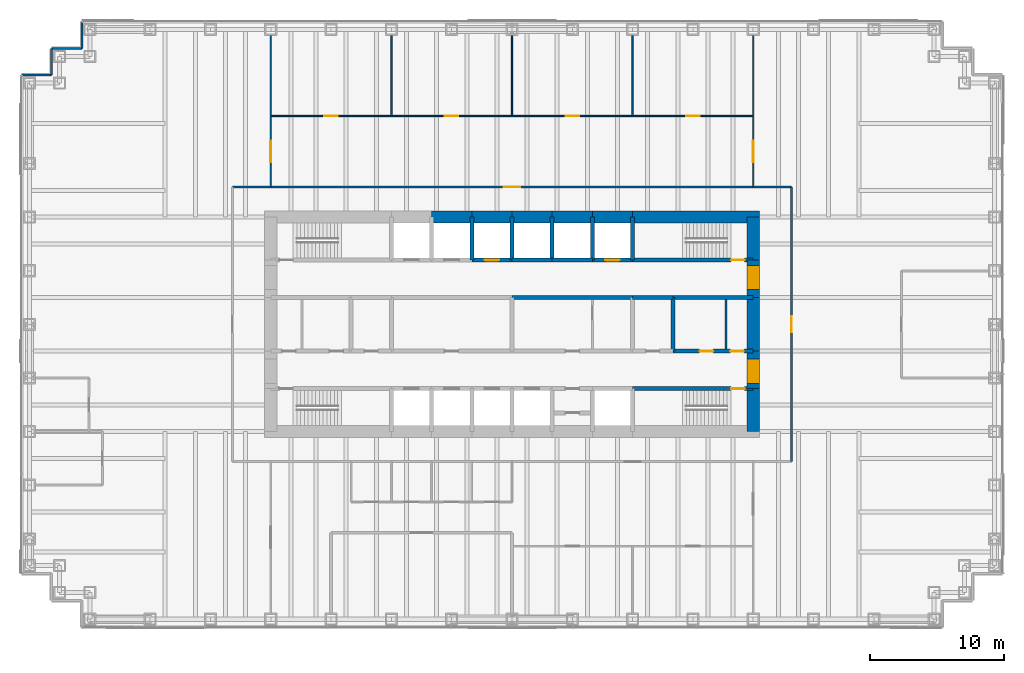
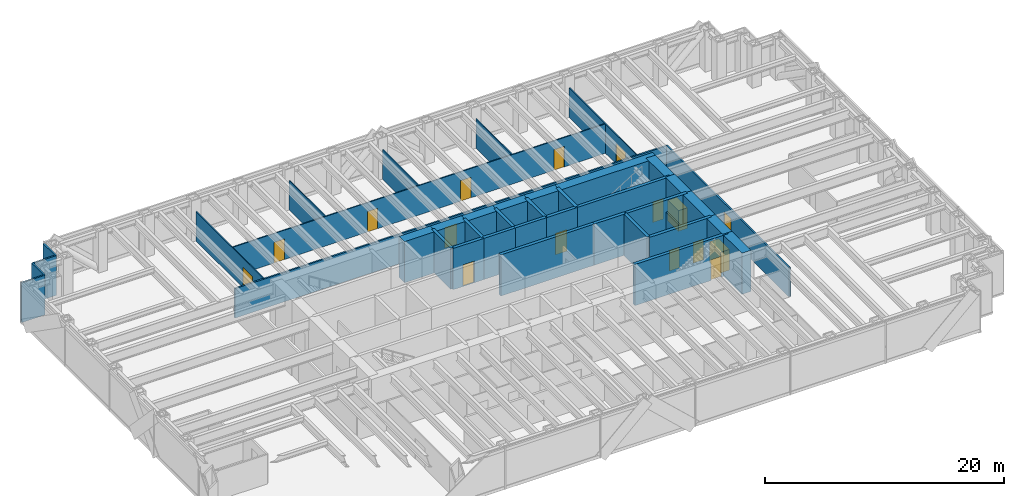
# One storey, part 15 of 17: 40 walls, 16 doors, 16 openings.
"""IFC4 building model written with IfcOpenShell, lengths in metres."""

from ifc_helpers import new_model, si_unit, direction, frame, frame_2d, origin, place, context, subcontext, project, spatial, rectangle, extrude, material, layer, layer_set, type_object, element, fill, save


model = new_model("IFC4")

# Units and contexts
model_context = context("Model", 3, precision=1e-05, world=origin(), true_north=direction((0.0, 1.0)))
body_context = subcontext(model_context, "Body", "Model", "MODEL_VIEW")
ifc_project = project(units=[si_unit("LENGTHUNIT", "METRE"), si_unit("AREAUNIT", "SQUARE_METRE"), si_unit("VOLUMEUNIT", "CUBIC_METRE"), si_unit("PLANEANGLEUNIT", "RADIAN"), si_unit("MASSUNIT", "GRAM", prefix="KILO")], contexts=[model_context])

# Site, building, storey
site_placement = place(None, origin())
site = spatial("IfcSite", under=ifc_project, at=site_placement, CompositionType="ELEMENT")
building_placement = place(site_placement, origin())
building = spatial("IfcBuilding", under=site, at=building_placement, Name="Rheinbord Bourse Tower", CompositionType="ELEMENT")
storey_placement = place(building_placement, frame((0.0, 0.0, 121.5)))
storey = spatial("IfcBuildingStorey", under=building, at=storey_placement, Name="L26", CompositionType="ELEMENT", Elevation=121.5)

# Wall, opening, door
ifc_material_1 = material(Name="Concrete C50/60", Category="concrete")
ifc_layer_1 = layer(ifc_material_1, 0.300048828125)
ifc_layer_set_1 = layer_set([ifc_layer_1], Name="CORE INNER WALL 300")
wall_type_1 = type_object("IfcWallType", Name="CORE INNER WALL 300", PredefinedType="SOLIDWALL", material=ifc_layer_set_1)
wall_1_placement = place(storey_placement, frame((45.0, 19.199951171875, 0.0), z_axis=(0.0, 0.0, 1.0), x_axis=(1.0, 0.0, 0.0)))
wall_1 = element("IfcWall", 1, at=wall_1_placement, inside=storey, type_object=wall_type_1, Name="Core wall A8 L26", PredefinedType="SOLIDWALL", context=body_context, shape_type="SweptSolid", body=[
    extrude(rectangle(XDim=9.0, YDim=0.300048828125, at=frame_2d((4.5, 0.0))), origin(), (0.0, 0.0, 1.0), 4.199951171875),
])
opening_1_placement = place(wall_1_placement, frame((7.35009765625, 0.0, 0.0)))
opening_1 = element("IfcOpeningElement", 2, at=opening_1_placement, cuts=wall_1, Name="Opening 2630", PredefinedType="OPENING", context=body_context, shape_type="SweptSolid", body=[
    extrude(rectangle(XDim=1.0, YDim=2.10009765625, at=frame_2d((0.5, 1.050048828125))), frame((0.0, 0.159912109375, 0.0), z_axis=(0.0, -1.0, 0.0), x_axis=(1.0, 0.0, 0.0)), (0.0, 0.0, 1.0), 0.320068359375),
])
ifc_material_2 = material(Name="Steel door", Category="steel")
door_type_1 = type_object("IfcDoorType", Name="DOOR 1000 EI30", OperationType="SINGLE_SWING_LEFT", PredefinedType="DOOR", material=ifc_material_2)
door_1_placement = place(opening_1_placement, origin())
door_1 = element("IfcDoor", 3, at=door_1_placement, inside=storey, type_object=door_type_1, Name="Stair door ST3 L26", OperationType="SINGLE_SWING_RIGHT", OverallHeight=2.10009765625, OverallWidth=1.0, PredefinedType="DOOR", context=body_context, shape_type="SweptSolid", body=[
    extrude(rectangle(XDim=1.0, YDim=2.10009765625, at=frame_2d((0.5, 1.050048828125))), frame((0.0, 0.02490234375, 0.0), z_axis=(0.0, -1.0, 0.0), x_axis=(1.0, 0.0, 0.0)), (0.0, 0.0, 1.0), 0.050048828125),
])
fill(opening_1, door_1)

wall_2_placement = place(storey_placement, frame((33.0, 28.800048828125, 0.0), z_axis=(0.0, 0.0, 1.0), x_axis=(1.0, 0.0, 0.0)))
wall_2 = element("IfcWall", 4, at=wall_2_placement, inside=storey, type_object=wall_type_1, Name="Core wall B4 L26", PredefinedType="SOLIDWALL", context=body_context, shape_type="SweptSolid", body=[
    extrude(rectangle(XDim=3.0, YDim=0.300048828125, at=frame_2d((1.5, 0.0))), origin(), (0.0, 0.0, 1.0), 4.199951171875),
])
opening_2_placement = place(wall_2_placement, frame((0.949951171875, 0.0, 0.0)))
opening_2 = element("IfcOpeningElement", 5, at=opening_2_placement, cuts=wall_2, Name="Opening PB5", PredefinedType="OPENING", context=body_context, shape_type="SweptSolid", body=[
    extrude(rectangle(XDim=1.10009765625, YDim=2.199951171875, at=frame_2d((0.550048828125, 1.10009765625))), frame((0.0, 0.159912109375, 0.0), z_axis=(0.0, -1.0, 0.0), x_axis=(1.0, 0.0, 0.0)), (0.0, 0.0, 1.0), 0.320068359375),
])
ifc_material_3 = material(Name="Steel landing door", Category="steel")
door_type_2 = type_object("IfcDoorType", Name="LIFT LANDING DOOR 1100", OperationType="DOUBLE_DOOR_SLIDING", PredefinedType="USERDEFINED", material=ifc_material_3)
door_2_placement = place(opening_2_placement, origin())
door_2 = element("IfcDoor", 6, at=door_2_placement, inside=storey, type_object=door_type_2, Name="Lift landing door PB5 L26", ObjectType="LIFT LANDING DOOR", OperationType="DOUBLE_DOOR_SLIDING", OverallHeight=2.199951171875, OverallWidth=1.10009765625, PredefinedType="USERDEFINED", context=body_context, shape_type="SweptSolid", body=[
    extrude(rectangle(XDim=1.10009765625, YDim=2.199951171875, at=frame_2d((0.550048828125, 1.10009765625))), frame((0.0, 0.02490234375, 0.0), z_axis=(0.0, -1.0, 0.0), x_axis=(1.0, 0.0, 0.0)), (0.0, 0.0, 1.0), 0.050048828125),
])
fill(opening_2, door_2)

# Walls
for number, where, z_axis, x_axis, name in (
    (7, (36.0, 28.800048828125, 0.0), (0.0, 0.0, 1.0), (1.0, 0.0, 0.0), "Core wall B5 L26"),
    (8, (39.0, 28.800048828125, 0.0), (0.0, 0.0, 1.0), (1.0, 0.0, 0.0), "Core wall B6 L26"),
):
    element("IfcWall", number, at=place(storey_placement, frame(where, z_axis=z_axis, x_axis=x_axis)), inside=storey, type_object=wall_type_1, Name=name, PredefinedType="SOLIDWALL", context=body_context, shape_type="SweptSolid", body=[
        extrude(rectangle(XDim=3.0, YDim=0.300048828125, at=frame_2d((1.5, 0.0))), origin(), (0.0, 0.0, 1.0), 4.199951171875),
    ])

# Wall, opening, door
wall_3_placement = place(storey_placement, frame((42.0, 28.800048828125, 0.0), z_axis=(0.0, 0.0, 1.0), x_axis=(1.0, 0.0, 0.0)))
wall_3 = element("IfcWall", 9, at=wall_3_placement, inside=storey, type_object=wall_type_1, Name="Core wall B7 L26", PredefinedType="SOLIDWALL", context=body_context, shape_type="SweptSolid", body=[
    extrude(rectangle(XDim=3.0, YDim=0.300048828125, at=frame_2d((1.5, 0.0))), origin(), (0.0, 0.0, 1.0), 4.199951171875),
])
opening_3_placement = place(wall_3_placement, frame((0.949951171875, 0.0, 0.0)))
opening_3 = element("IfcOpeningElement", 10, at=opening_3_placement, cuts=wall_3, Name="Opening FL2", PredefinedType="OPENING", context=body_context, shape_type="SweptSolid", body=[
    extrude(rectangle(XDim=1.10009765625, YDim=2.199951171875, at=frame_2d((0.550048828125, 1.10009765625))), frame((0.0, 0.159912109375, 0.0), z_axis=(0.0, -1.0, 0.0), x_axis=(1.0, 0.0, 0.0)), (0.0, 0.0, 1.0), 0.320068359375),
])
door_3_placement = place(opening_3_placement, origin())
door_3 = element("IfcDoor", 11, at=door_3_placement, inside=storey, type_object=door_type_2, Name="Lift landing door FL2 L26", ObjectType="LIFT LANDING DOOR", OperationType="DOUBLE_DOOR_SLIDING", OverallHeight=2.199951171875, OverallWidth=1.10009765625, PredefinedType="USERDEFINED", context=body_context, shape_type="SweptSolid", body=[
    extrude(rectangle(XDim=1.10009765625, YDim=2.199951171875, at=frame_2d((0.550048828125, 1.10009765625))), frame((0.0, 0.02490234375, 0.0), z_axis=(0.0, -1.0, 0.0), x_axis=(1.0, 0.0, 0.0)), (0.0, 0.0, 1.0), 0.050048828125),
])
fill(opening_3, door_3)

wall_4_placement = place(storey_placement, frame((45.0, 28.800048828125, 0.0), z_axis=(0.0, 0.0, 1.0), x_axis=(1.0, 0.0, 0.0)))
wall_4 = element("IfcWall", 12, at=wall_4_placement, inside=storey, type_object=wall_type_1, Name="Core wall B8 L26", PredefinedType="SOLIDWALL", context=body_context, shape_type="SweptSolid", body=[
    extrude(rectangle(XDim=9.0, YDim=0.300048828125, at=frame_2d((4.5, 0.0))), origin(), (0.0, 0.0, 1.0), 4.199951171875),
])
opening_4_placement = place(wall_4_placement, frame((7.35009765625, 0.0, 0.0)))
opening_4 = element("IfcOpeningElement", 13, at=opening_4_placement, cuts=wall_4, Name="Opening 2640", PredefinedType="OPENING", context=body_context, shape_type="SweptSolid", body=[
    extrude(rectangle(XDim=1.0, YDim=2.10009765625, at=frame_2d((0.5, 1.050048828125))), frame((0.0, 0.159912109375, 0.0), z_axis=(0.0, -1.0, 0.0), x_axis=(1.0, 0.0, 0.0)), (0.0, 0.0, 1.0), 0.320068359375),
])
door_4_placement = place(opening_4_placement, origin())
door_4 = element("IfcDoor", 14, at=door_4_placement, inside=storey, type_object=door_type_1, Name="Stair door ST4 L26", OperationType="SINGLE_SWING_RIGHT", OverallHeight=2.10009765625, OverallWidth=1.0, PredefinedType="DOOR", context=body_context, shape_type="SweptSolid", body=[
    extrude(rectangle(XDim=1.0, YDim=2.10009765625, at=frame_2d((0.5, 1.050048828125))), frame((0.0, 0.02490234375, 0.0), z_axis=(0.0, -1.0, 0.0), x_axis=(1.0, 0.0, 0.0)), (0.0, 0.0, 1.0), 0.050048828125),
])
fill(opening_4, door_4)

# Wall, openings, doors
wall_5_placement = place(storey_placement, frame((48.0, 22.0, 0.0), z_axis=(0.0, 0.0, 1.0), x_axis=(1.0, 0.0, 0.0)))
wall_5 = element("IfcWall", 15, at=wall_5_placement, inside=storey, type_object=wall_type_1, Name="Core wall C6 L26", PredefinedType="SOLIDWALL", context=body_context, shape_type="SweptSolid", body=[
    extrude(rectangle(XDim=6.0, YDim=0.300048828125, at=frame_2d((3.0, 0.0))), origin(), (0.0, 0.0, 1.0), 4.199951171875),
])
opening_5_placement = place(wall_5_placement, frame((2.0, 0.0, 0.0)))
opening_5 = element("IfcOpeningElement", 16, at=opening_5_placement, cuts=wall_5, Name="Opening 26R6", PredefinedType="OPENING", context=body_context, shape_type="SweptSolid", body=[
    extrude(rectangle(XDim=1.0, YDim=2.10009765625, at=frame_2d((0.5, 1.050048828125))), frame((0.0, 0.159912109375, 0.0), z_axis=(0.0, -1.0, 0.0), x_axis=(1.0, 0.0, 0.0)), (0.0, 0.0, 1.0), 0.320068359375),
])
opening_6_placement = place(wall_5_placement, frame((4.300048828125, 0.0, 0.0)))
opening_6 = element("IfcOpeningElement", 17, at=opening_6_placement, cuts=wall_5, Name="Opening 26R10", PredefinedType="OPENING", context=body_context, shape_type="SweptSolid", body=[
    extrude(rectangle(XDim=1.0, YDim=2.10009765625, at=frame_2d((0.5, 1.050048828125))), frame((0.0, 0.159912109375, 0.0), z_axis=(0.0, -1.0, 0.0), x_axis=(1.0, 0.0, 0.0)), (0.0, 0.0, 1.0), 0.320068359375),
])
door_5_placement = place(opening_6_placement, origin())
door_5 = element("IfcDoor", 18, at=door_5_placement, inside=storey, type_object=door_type_1, Name="Cleaner's store door L26", OperationType="SINGLE_SWING_RIGHT", OverallHeight=2.10009765625, OverallWidth=1.0, PredefinedType="DOOR", context=body_context, shape_type="SweptSolid", body=[
    extrude(rectangle(XDim=1.0, YDim=2.10009765625, at=frame_2d((0.5, 1.050048828125))), frame((0.0, 0.02490234375, 0.0), z_axis=(0.0, -1.0, 0.0), x_axis=(1.0, 0.0, 0.0)), (0.0, 0.0, 1.0), 0.050048828125),
])
fill(opening_6, door_5)
ifc_material_4 = material(Name="Timber door", Category="wood")
door_type_3 = type_object("IfcDoorType", Name="DOOR 1000 WC", OperationType="SINGLE_SWING_LEFT", PredefinedType="DOOR", material=ifc_material_4)
door_6_placement = place(opening_5_placement, origin())
door_6 = element("IfcDoor", 19, at=door_6_placement, inside=storey, type_object=door_type_3, Name="WC women door L26", OperationType="SINGLE_SWING_LEFT", OverallHeight=2.10009765625, OverallWidth=1.0, PredefinedType="DOOR", context=body_context, shape_type="SweptSolid", body=[
    extrude(rectangle(XDim=1.0, YDim=2.10009765625, at=frame_2d((0.5, 1.050048828125))), frame((0.0, 0.02490234375, 0.0), z_axis=(0.0, -1.0, 0.0), x_axis=(1.0, 0.0, 0.0)), (0.0, 0.0, 1.0), 0.050048828125),
])
fill(opening_5, door_6)

# Walls
wall_6_placement = place(storey_placement, frame((36.0, 26.0, 0.0), z_axis=(0.0, 0.0, 1.0), x_axis=(1.0, 0.0, 0.0)))
element("IfcWall", 20, at=wall_6_placement, inside=storey, type_object=wall_type_1, Name="Core wall D4 L26", PredefinedType="SOLIDWALL", context=body_context, shape_type="SweptSolid", body=[
    extrude(rectangle(XDim=9.0, YDim=0.300048828125, at=frame_2d((4.5, 0.0))), origin(), (0.0, 0.0, 1.0), 4.199951171875),
])
wall_7_placement = place(storey_placement, frame((45.0, 26.0, 0.0), z_axis=(0.0, 0.0, 1.0), x_axis=(1.0, 0.0, 0.0)))
element("IfcWall", 21, at=wall_7_placement, inside=storey, type_object=wall_type_1, Name="Core wall D5 L26", PredefinedType="SOLIDWALL", context=body_context, shape_type="SweptSolid", body=[
    extrude(rectangle(XDim=3.0, YDim=0.300048828125, at=frame_2d((1.5, 0.0))), origin(), (0.0, 0.0, 1.0), 4.199951171875),
])
wall_8_placement = place(storey_placement, frame((48.0, 26.0, 0.0), z_axis=(0.0, 0.0, 1.0), x_axis=(1.0, 0.0, 0.0)))
element("IfcWall", 22, at=wall_8_placement, inside=storey, type_object=wall_type_1, Name="Core wall D6 L26", PredefinedType="SOLIDWALL", context=body_context, shape_type="SweptSolid", body=[
    extrude(rectangle(XDim=6.0, YDim=0.300048828125, at=frame_2d((3.0, 0.0))), origin(), (0.0, 0.0, 1.0), 4.199951171875),
])
for number, where, z_axis, x_axis, name in (
    (23, (33.0, 28.800048828125, 0.0), (0.0, 0.0, 1.0), (0.0, 1.0, 0.0), "Core wall NX33 L26"),
    (24, (36.0, 28.800048828125, 0.0), (0.0, 0.0, 1.0), (0.0, 1.0, 0.0), "Core wall NX36 L26"),
    (25, (39.0, 28.800048828125, 0.0), (0.0, 0.0, 1.0), (0.0, 1.0, 0.0), "Core wall NX39 L26"),
    (26, (42.0, 28.800048828125, 0.0), (0.0, 0.0, 1.0), (0.0, 1.0, 0.0), "Core wall NX42 L26"),
    (27, (45.0, 28.800048828125, 0.0), (0.0, 0.0, 1.0), (0.0, 1.0, 0.0), "Core wall NX45 L26"),
):
    element("IfcWall", number, at=place(storey_placement, frame(where, z_axis=z_axis, x_axis=x_axis)), inside=storey, type_object=wall_type_1, Name=name, PredefinedType="SOLIDWALL", context=body_context, shape_type="SweptSolid", body=[
        extrude(rectangle(XDim=3.199951171875, YDim=0.300048828125, at=frame_2d((1.60009765625, 0.0))), origin(), (0.0, 0.0, 1.0), 4.199951171875),
    ])
wall_9_placement = place(storey_placement, frame((48.0, 22.0, 0.0), z_axis=(0.0, 0.0, 1.0), x_axis=(0.0, 1.0, 0.0)))
element("IfcWall", 28, at=wall_9_placement, inside=storey, type_object=wall_type_1, Name="Core wall MX48 L26", PredefinedType="SOLIDWALL", context=body_context, shape_type="SweptSolid", body=[
    extrude(rectangle(XDim=4.0, YDim=0.300048828125, at=frame_2d((2.0, 0.0))), origin(), (0.0, 0.0, 1.0), 4.199951171875),
])
ifc_material_5 = material(Name="Gypsum board fire partition", Category="gypsum board")
ifc_layer_2 = layer(ifc_material_5, 0.14990234375)
ifc_layer_set_2 = layer_set([ifc_layer_2], Name="CORE PARTITION 150 EI30")
wall_type_2 = type_object("IfcWallType", Name="CORE PARTITION 150 EI30", PredefinedType="PARTITIONING", material=ifc_layer_set_2)
wall_10_placement = place(storey_placement, frame((51.97509765625, 22.14990234375, 0.0), z_axis=(0.0, 0.0, 1.0), x_axis=(0.0, 1.0, 0.0)))
element("IfcWall", 29, at=wall_10_placement, inside=storey, type_object=wall_type_2, Name="Core partition L26-3", PredefinedType="PARTITIONING", context=body_context, shape_type="SweptSolid", body=[
    extrude(rectangle(XDim=3.7001953125, YDim=0.14990234375, at=frame_2d((1.85009765625, 0.0))), origin(), (0.0, 0.0, 1.0), 3.0),
])
ifc_material_6 = material(Name="Concrete C50/60", Category="concrete")
ifc_layer_3 = layer(ifc_material_6, 0.89990234375)
ifc_layer_set_3 = layer_set([ifc_layer_3], Name="CORE WALL 900")
wall_type_3 = type_object("IfcWallType", Name="CORE WALL 900", PredefinedType="SHEAR", material=ifc_layer_set_3)
wall_11_placement = place(storey_placement, frame((54.449951171875, 32.0, 0.0), z_axis=(0.0, 0.0, 1.0), x_axis=(-1.0, 0.0, 0.0)))
element("IfcWall", 30, at=wall_11_placement, inside=storey, type_object=wall_type_3, Name="Core wall N1 L26", PredefinedType="SHEAR", context=body_context, shape_type="SweptSolid", body=[
    extrude(rectangle(XDim=9.449951171875, YDim=0.89990234375, at=frame_2d((4.72509765625, 0.0))), origin(), (0.0, 0.0, 1.0), 4.199951171875),
])
for number, where, z_axis, x_axis, name in (
    (31, (45.0, 32.0, 0.0), (0.0, 0.0, 1.0), (-1.0, 0.0, 0.0), "Core wall N2 L26"),
    (32, (42.0, 32.0, 0.0), (0.0, 0.0, 1.0), (-1.0, 0.0, 0.0), "Core wall N3 L26"),
    (33, (39.0, 32.0, 0.0), (0.0, 0.0, 1.0), (-1.0, 0.0, 0.0), "Core wall N4 L26"),
    (34, (36.0, 32.0, 0.0), (0.0, 0.0, 1.0), (-1.0, 0.0, 0.0), "Core wall N5 L26"),
    (35, (33.0, 32.0, 0.0), (0.0, 0.0, 1.0), (-1.0, 0.0, 0.0), "Core wall N6 L26"),
):
    element("IfcWall", number, at=place(storey_placement, frame(where, z_axis=z_axis, x_axis=x_axis)), inside=storey, type_object=wall_type_3, Name=name, PredefinedType="SHEAR", context=body_context, shape_type="SweptSolid", body=[
        extrude(rectangle(XDim=3.0, YDim=0.89990234375, at=frame_2d((1.5, 0.0))), origin(), (0.0, 0.0, 1.0), 4.199951171875),
    ])
wall_12_placement = place(storey_placement, frame((54.0, 16.0, 0.0), z_axis=(0.0, 0.0, 1.0), x_axis=(0.0, 1.0, 0.0)))
element("IfcWall", 36, at=wall_12_placement, inside=storey, type_object=wall_type_3, Name="Core wall E1 L26", PredefinedType="SHEAR", context=body_context, shape_type="SweptSolid", body=[
    extrude(rectangle(XDim=3.199951171875, YDim=0.89990234375, at=frame_2d((1.60009765625, 0.0))), origin(), (0.0, 0.0, 1.0), 4.199951171875),
])

# Wall, opening, door
wall_13_placement = place(storey_placement, frame((54.0, 19.199951171875, 0.0), z_axis=(0.0, 0.0, 1.0), x_axis=(0.0, 1.0, 0.0)))
wall_13 = element("IfcWall", 37, at=wall_13_placement, inside=storey, type_object=wall_type_3, Name="Core wall E2 L26", PredefinedType="SHEAR", context=body_context, shape_type="SweptSolid", body=[
    extrude(rectangle(XDim=2.800048828125, YDim=0.89990234375, at=frame_2d((1.39990234375, 0.0))), origin(), (0.0, 0.0, 1.0), 4.199951171875),
])
opening_7_placement = place(wall_13_placement, frame((0.39990234375, 0.0, 0.0)))
opening_7 = element("IfcOpeningElement", 38, at=opening_7_placement, cuts=wall_13, Name="Opening 26L3", PredefinedType="OPENING", context=body_context, shape_type="SweptSolid", body=[
    extrude(rectangle(XDim=1.800048828125, YDim=2.10009765625, at=frame_2d((0.89990234375, 1.050048828125))), frame((0.0, 0.4599609375, 0.0), z_axis=(0.0, -1.0, 0.0), x_axis=(1.0, 0.0, 0.0)), (0.0, 0.0, 1.0), 0.919921875),
])
ifc_material_7 = material(Name="Steel door", Category="steel")
door_type_4 = type_object("IfcDoorType", Name="DOOR 1800 EI30 DOUBLE", OperationType="DOUBLE_DOOR_DOUBLE_SWING", PredefinedType="DOOR", material=ifc_material_7)
door_7_placement = place(opening_7_placement, origin())
door_7 = element("IfcDoor", 39, at=door_7_placement, inside=storey, type_object=door_type_4, Name="Lobby door 3 L26", OperationType="SINGLE_SWING_LEFT", OverallHeight=2.10009765625, OverallWidth=1.800048828125, PredefinedType="DOOR", context=body_context, shape_type="SweptSolid", body=[
    extrude(rectangle(XDim=1.800048828125, YDim=2.10009765625, at=frame_2d((0.89990234375, 1.050048828125))), frame((0.0, 0.44970703125, 0.0), z_axis=(0.0, -1.0, 0.0), x_axis=(1.0, 0.0, 0.0)), (0.0, 0.0, 1.0), 0.8994140625),
])
fill(opening_7, door_7)

# Wall
wall_14_placement = place(storey_placement, frame((54.0, 22.0, 0.0), z_axis=(0.0, 0.0, 1.0), x_axis=(0.0, 1.0, 0.0)))
element("IfcWall", 40, at=wall_14_placement, inside=storey, type_object=wall_type_3, Name="Core wall E3 L26", PredefinedType="SHEAR", context=body_context, shape_type="SweptSolid", body=[
    extrude(rectangle(XDim=4.0, YDim=0.89990234375, at=frame_2d((2.0, 0.0))), origin(), (0.0, 0.0, 1.0), 4.199951171875),
])

# Wall, opening, door
wall_15_placement = place(storey_placement, frame((54.0, 26.0, 0.0), z_axis=(0.0, 0.0, 1.0), x_axis=(0.0, 1.0, 0.0)))
wall_15 = element("IfcWall", 41, at=wall_15_placement, inside=storey, type_object=wall_type_3, Name="Core wall E4 L26", PredefinedType="SHEAR", context=body_context, shape_type="SweptSolid", body=[
    extrude(rectangle(XDim=2.800048828125, YDim=0.89990234375, at=frame_2d((1.39990234375, 0.0))), origin(), (0.0, 0.0, 1.0), 4.199951171875),
])
opening_8_placement = place(wall_15_placement, frame((0.60009765625, 0.0, 0.0)))
opening_8 = element("IfcOpeningElement", 42, at=opening_8_placement, cuts=wall_15, Name="Opening 26L4", PredefinedType="OPENING", context=body_context, shape_type="SweptSolid", body=[
    extrude(rectangle(XDim=1.800048828125, YDim=2.10009765625, at=frame_2d((0.89990234375, 1.050048828125))), frame((0.0, 0.4599609375, 0.0), z_axis=(0.0, -1.0, 0.0), x_axis=(1.0, 0.0, 0.0)), (0.0, 0.0, 1.0), 0.919921875),
])
door_8_placement = place(opening_8_placement, origin())
door_8 = element("IfcDoor", 43, at=door_8_placement, inside=storey, type_object=door_type_4, Name="Lobby door 4 L26", OperationType="SINGLE_SWING_LEFT", OverallHeight=2.10009765625, OverallWidth=1.800048828125, PredefinedType="DOOR", context=body_context, shape_type="SweptSolid", body=[
    extrude(rectangle(XDim=1.800048828125, YDim=2.10009765625, at=frame_2d((0.89990234375, 1.050048828125))), frame((0.0, 0.44970703125, 0.0), z_axis=(0.0, -1.0, 0.0), x_axis=(1.0, 0.0, 0.0)), (0.0, 0.0, 1.0), 0.8994140625),
])
fill(opening_8, door_8)

# Walls
wall_16_placement = place(storey_placement, frame((54.0, 28.800048828125, 0.0), z_axis=(0.0, 0.0, 1.0), x_axis=(0.0, 1.0, 0.0)))
element("IfcWall", 44, at=wall_16_placement, inside=storey, type_object=wall_type_3, Name="Core wall E5 L26", PredefinedType="SHEAR", context=body_context, shape_type="SweptSolid", body=[
    extrude(rectangle(XDim=3.199951171875, YDim=0.89990234375, at=frame_2d((1.60009765625, 0.0))), origin(), (0.0, 0.0, 1.0), 4.199951171875),
])
ifc_material_8 = material(Name="Black metal rainscreen panel", Category="aluminium")
ifc_layer_4 = layer(ifc_material_8, 0.14990234375)
ifc_layer_set_4 = layer_set([ifc_layer_4], Name="CORNER PIER CLADDING 150")
wall_type_4 = type_object("IfcWallType", Name="CORNER PIER CLADDING 150", PredefinedType="ELEMENTEDWALL", material=ifc_layer_set_4)
wall_17_placement = place(storey_placement, frame((3.89990234375, 46.60009765625, 0.0), z_axis=(0.0, 0.0, 1.0), x_axis=(0.0, -1.0, 0.0)))
element("IfcWall", 45, at=wall_17_placement, inside=storey, type_object=wall_type_4, Name="Corner pier cladding L26 12", PredefinedType="ELEMENTEDWALL", context=body_context, shape_type="SweptSolid", body=[
    extrude(rectangle(XDim=2.0, YDim=0.14990234375, at=frame_2d((1.0, 0.0))), origin(), (0.0, 0.0, 1.0), 4.0400390625),
])
wall_18_placement = place(storey_placement, frame((3.89990234375, 44.60009765625, 0.0), z_axis=(0.0, 0.0, 1.0), x_axis=(-1.0, 0.0, 0.0)))
element("IfcWall", 46, at=wall_18_placement, inside=storey, type_object=wall_type_4, Name="Corner pier cladding L26 13", PredefinedType="ELEMENTEDWALL", context=body_context, shape_type="SweptSolid", body=[
    extrude(rectangle(XDim=2.25, YDim=0.14990234375, at=frame_2d((1.125, 0.0))), origin(), (0.0, 0.0, 1.0), 4.0400390625),
])
wall_19_placement = place(storey_placement, frame((1.64990234375, 44.60009765625, 0.0), z_axis=(0.0, 0.0, 1.0), x_axis=(0.0, -1.0, 0.0)))
element("IfcWall", 47, at=wall_19_placement, inside=storey, type_object=wall_type_4, Name="Corner pier cladding L26 14", PredefinedType="ELEMENTEDWALL", context=body_context, shape_type="SweptSolid", body=[
    extrude(rectangle(XDim=2.0, YDim=0.14990234375, at=frame_2d((1.0, 0.0))), origin(), (0.0, 0.0, 1.0), 4.0400390625),
])
wall_20_placement = place(storey_placement, frame((1.64990234375, 42.60009765625, 0.0), z_axis=(0.0, 0.0, 1.0), x_axis=(-1.0, 0.0, 0.0)))
element("IfcWall", 48, at=wall_20_placement, inside=storey, type_object=wall_type_4, Name="Corner pier cladding L26 15", PredefinedType="ELEMENTEDWALL", context=body_context, shape_type="SweptSolid", body=[
    extrude(rectangle(XDim=2.25, YDim=0.14990234375, at=frame_2d((1.125, 0.0))), origin(), (0.0, 0.0, 1.0), 4.0400390625),
])

# Wall, opening, door
ifc_material_9 = material(Name="Gypsum board corridor partition", Category="gypsum board")
ifc_layer_5 = layer(ifc_material_9, 0.14990234375)
ifc_layer_set_5 = layer_set([ifc_layer_5], Name="CORRIDOR PARTITION 150 EI30")
wall_type_5 = type_object("IfcWallType", Name="CORRIDOR PARTITION 150 EI30", PredefinedType="PARTITIONING", material=ifc_layer_set_5)
wall_21_placement = place(storey_placement, frame((15.14990234375, 34.25, 0.0), z_axis=(0.0, 0.0, 1.0), x_axis=(1.0, 0.0, 0.0)))
wall_21 = element("IfcWall", 49, at=wall_21_placement, inside=storey, type_object=wall_type_5, Name="Partition L26-10", PredefinedType="PARTITIONING", context=body_context, shape_type="SweptSolid", body=[
    extrude(rectangle(XDim=41.7001953125, YDim=0.14990234375, at=frame_2d((20.85009765625, 0.0))), origin(), (0.0, 0.0, 1.0), 3.0),
])
opening_9_placement = place(wall_21_placement, frame((20.25, 0.0, 0.0)))
opening_9 = element("IfcOpeningElement", 50, at=opening_9_placement, cuts=wall_21, Name="Opening 26D22", PredefinedType="OPENING", context=body_context, shape_type="SweptSolid", body=[
    extrude(rectangle(XDim=1.199951171875, YDim=2.10009765625, at=frame_2d((0.60009765625, 1.050048828125))), frame((0.0, 0.0849609375, 0.0), z_axis=(0.0, -1.0, 0.0), x_axis=(1.0, 0.0, 0.0)), (0.0, 0.0, 1.0), 0.169921875),
])
ifc_material_10 = material(Name="Timber fire door", Category="wood")
door_type_5 = type_object("IfcDoorType", Name="SUITE ENTRANCE DOOR 1200 EI30", OperationType="SINGLE_SWING_LEFT", PredefinedType="DOOR", material=ifc_material_10)
door_9_placement = place(opening_9_placement, origin())
door_9 = element("IfcDoor", 51, at=door_9_placement, inside=storey, type_object=door_type_5, Name="Suite entrance 4 door L26", OperationType="SINGLE_SWING_LEFT", OverallHeight=2.10009765625, OverallWidth=1.199951171875, PredefinedType="DOOR", context=body_context, shape_type="SweptSolid", body=[
    extrude(rectangle(XDim=1.199951171875, YDim=2.10009765625, at=frame_2d((0.60009765625, 1.050048828125))), frame((0.0, 0.02490234375, 0.0), z_axis=(0.0, -1.0, 0.0), x_axis=(1.0, 0.0, 0.0)), (0.0, 0.0, 1.0), 0.050048828125),
])
fill(opening_9, door_9)

wall_22_placement = place(storey_placement, frame((56.85009765625, 13.75, 0.0), z_axis=(0.0, 0.0, 1.0), x_axis=(0.0, 1.0, 0.0)))
wall_22 = element("IfcWall", 52, at=wall_22_placement, inside=storey, type_object=wall_type_5, Name="Partition L26-30", PredefinedType="PARTITIONING", context=body_context, shape_type="SweptSolid", body=[
    extrude(rectangle(XDim=20.5, YDim=0.14990234375, at=frame_2d((10.25, 0.0))), origin(), (0.0, 0.0, 1.0), 3.0),
])
opening_10_placement = place(wall_22_placement, frame((9.64990234375, 0.0, 0.0)))
opening_10 = element("IfcOpeningElement", 53, at=opening_10_placement, cuts=wall_22, Name="Opening 26D20", PredefinedType="OPENING", context=body_context, shape_type="SweptSolid", body=[
    extrude(rectangle(XDim=1.199951171875, YDim=2.10009765625, at=frame_2d((0.60009765625, 1.050048828125))), frame((0.0, 0.0849609375, 0.0), z_axis=(0.0, -1.0, 0.0), x_axis=(1.0, 0.0, 0.0)), (0.0, 0.0, 1.0), 0.169921875),
])
door_10_placement = place(opening_10_placement, origin())
door_10 = element("IfcDoor", 54, at=door_10_placement, inside=storey, type_object=door_type_5, Name="Suite entrance 2 door L26", OperationType="SINGLE_SWING_LEFT", OverallHeight=2.10009765625, OverallWidth=1.199951171875, PredefinedType="DOOR", context=body_context, shape_type="SweptSolid", body=[
    extrude(rectangle(XDim=1.199951171875, YDim=2.10009765625, at=frame_2d((0.60009765625, 1.050048828125))), frame((0.0, 0.02490234375, 0.0), z_axis=(0.0, -1.0, 0.0), x_axis=(1.0, 0.0, 0.0)), (0.0, 0.0, 1.0), 0.050048828125),
])
fill(opening_10, door_10)

# Wall, openings, doors
ifc_material_11 = material(Name="Toughened laminated glass partition", Category="glass")
ifc_layer_6 = layer(ifc_material_11, 0.10009765625)
ifc_layer_set_6 = layer_set([ifc_layer_6], Name="GLAZED PARTITION 100")
wall_type_6 = type_object("IfcWallType", Name="GLAZED PARTITION 100", PredefinedType="PARTITIONING", material=ifc_layer_set_6)
wall_23_placement = place(storey_placement, frame((18.0, 39.550048828125, 0.0), z_axis=(0.0, 0.0, 1.0), x_axis=(1.0, 0.0, 0.0)))
wall_23 = element("IfcWall", 55, at=wall_23_placement, inside=storey, type_object=wall_type_6, Name="Partition L26-11", PredefinedType="PARTITIONING", context=body_context, shape_type="SweptSolid", body=[
    extrude(rectangle(XDim=36.0, YDim=0.10009765625, at=frame_2d((18.0, 0.0))), origin(), (0.0, 0.0, 1.0), 3.0),
])
opening_11_placement = place(wall_23_placement, frame((4.0, 0.0, 0.0)))
opening_11 = element("IfcOpeningElement", 56, at=opening_11_placement, cuts=wall_23, Name="Opening 26D11", PredefinedType="OPENING", context=body_context, shape_type="SweptSolid", body=[
    extrude(rectangle(XDim=1.0, YDim=2.10009765625, at=frame_2d((0.5, 1.050048828125))), frame((0.0, 0.06005859375, 0.0), z_axis=(0.0, -1.0, 0.0), x_axis=(1.0, 0.0, 0.0)), (0.0, 0.0, 1.0), 0.1201171875),
])
opening_12_placement = place(wall_23_placement, frame((13.0, 0.0, 0.0)))
opening_12 = element("IfcOpeningElement", 57, at=opening_12_placement, cuts=wall_23, Name="Opening 26D12", PredefinedType="OPENING", context=body_context, shape_type="SweptSolid", body=[
    extrude(rectangle(XDim=1.0, YDim=2.10009765625, at=frame_2d((0.5, 1.050048828125))), frame((0.0, 0.06005859375, 0.0), z_axis=(0.0, -1.0, 0.0), x_axis=(1.0, 0.0, 0.0)), (0.0, 0.0, 1.0), 0.1201171875),
])
opening_13_placement = place(wall_23_placement, frame((22.0, 0.0, 0.0)))
opening_13 = element("IfcOpeningElement", 58, at=opening_13_placement, cuts=wall_23, Name="Opening 26D13", PredefinedType="OPENING", context=body_context, shape_type="SweptSolid", body=[
    extrude(rectangle(XDim=1.0, YDim=2.10009765625, at=frame_2d((0.5, 1.050048828125))), frame((0.0, 0.06005859375, 0.0), z_axis=(0.0, -1.0, 0.0), x_axis=(1.0, 0.0, 0.0)), (0.0, 0.0, 1.0), 0.1201171875),
])
opening_14_placement = place(wall_23_placement, frame((31.0, 0.0, 0.0)))
opening_14 = element("IfcOpeningElement", 59, at=opening_14_placement, cuts=wall_23, Name="Opening 26D14", PredefinedType="OPENING", context=body_context, shape_type="SweptSolid", body=[
    extrude(rectangle(XDim=1.0, YDim=2.10009765625, at=frame_2d((0.5, 1.050048828125))), frame((0.0, 0.06005859375, 0.0), z_axis=(0.0, -1.0, 0.0), x_axis=(1.0, 0.0, 0.0)), (0.0, 0.0, 1.0), 0.1201171875),
])
ifc_material_12 = material(Name="Timber door", Category="wood")
door_type_6 = type_object("IfcDoorType", Name="ROOM DOOR 1000", OperationType="SINGLE_SWING_LEFT", PredefinedType="DOOR", material=ifc_material_12)
door_11_placement = place(opening_11_placement, origin())
door_11 = element("IfcDoor", 60, at=door_11_placement, inside=storey, type_object=door_type_6, Name="Team room door L26", OperationType="SINGLE_SWING_LEFT", OverallHeight=2.10009765625, OverallWidth=1.0, PredefinedType="DOOR", context=body_context, shape_type="SweptSolid", body=[
    extrude(rectangle(XDim=1.0, YDim=2.10009765625, at=frame_2d((0.5, 1.050048828125))), frame((0.0, 0.02490234375, 0.0), z_axis=(0.0, -1.0, 0.0), x_axis=(1.0, 0.0, 0.0)), (0.0, 0.0, 1.0), 0.050048828125),
])
fill(opening_11, door_11)
door_12_placement = place(opening_12_placement, origin())
door_12 = element("IfcDoor", 61, at=door_12_placement, inside=storey, type_object=door_type_6, Name="Team room door L26", OperationType="SINGLE_SWING_LEFT", OverallHeight=2.10009765625, OverallWidth=1.0, PredefinedType="DOOR", context=body_context, shape_type="SweptSolid", body=[
    extrude(rectangle(XDim=1.0, YDim=2.10009765625, at=frame_2d((0.5, 1.050048828125))), frame((0.0, 0.02490234375, 0.0), z_axis=(0.0, -1.0, 0.0), x_axis=(1.0, 0.0, 0.0)), (0.0, 0.0, 1.0), 0.050048828125),
])
fill(opening_12, door_12)
door_13_placement = place(opening_13_placement, origin())
door_13 = element("IfcDoor", 62, at=door_13_placement, inside=storey, type_object=door_type_6, Name="Team room door L26", OperationType="SINGLE_SWING_RIGHT", OverallHeight=2.10009765625, OverallWidth=1.0, PredefinedType="DOOR", context=body_context, shape_type="SweptSolid", body=[
    extrude(rectangle(XDim=1.0, YDim=2.10009765625, at=frame_2d((0.5, 1.050048828125))), frame((0.0, 0.02490234375, 0.0), z_axis=(0.0, -1.0, 0.0), x_axis=(1.0, 0.0, 0.0)), (0.0, 0.0, 1.0), 0.050048828125),
])
fill(opening_13, door_13)
door_14_placement = place(opening_14_placement, origin())
door_14 = element("IfcDoor", 63, at=door_14_placement, inside=storey, type_object=door_type_6, Name="Team room door L26", OperationType="SINGLE_SWING_RIGHT", OverallHeight=2.10009765625, OverallWidth=1.0, PredefinedType="DOOR", context=body_context, shape_type="SweptSolid", body=[
    extrude(rectangle(XDim=1.0, YDim=2.10009765625, at=frame_2d((0.5, 1.050048828125))), frame((0.0, 0.02490234375, 0.0), z_axis=(0.0, -1.0, 0.0), x_axis=(1.0, 0.0, 0.0)), (0.0, 0.0, 1.0), 0.050048828125),
])
fill(opening_14, door_14)

# Wall, opening, door
wall_24_placement = place(storey_placement, frame((18.0, 34.25, 0.0), z_axis=(0.0, 0.0, 1.0), x_axis=(0.0, 1.0, 0.0)))
wall_24 = element("IfcWall", 64, at=wall_24_placement, inside=storey, type_object=wall_type_6, Name="Partition L26-16", PredefinedType="PARTITIONING", context=body_context, shape_type="SweptSolid", body=[
    extrude(rectangle(XDim=11.300048828125, YDim=0.10009765625, at=frame_2d((5.64990234375, 0.0))), origin(), (0.0, 0.0, 1.0), 3.0),
])
opening_15_placement = place(wall_24_placement, frame((1.85009765625, 0.0, 0.0)))
opening_15 = element("IfcOpeningElement", 65, at=opening_15_placement, cuts=wall_24, Name="Opening 26D16", PredefinedType="OPENING", context=body_context, shape_type="SweptSolid", body=[
    extrude(rectangle(XDim=1.60009765625, YDim=2.10009765625, at=frame_2d((0.800048828125, 1.050048828125))), frame((0.0, 0.06005859375, 0.0), z_axis=(0.0, -1.0, 0.0), x_axis=(1.0, 0.0, 0.0)), (0.0, 0.0, 1.0), 0.1201171875),
])
ifc_material_13 = material(Name="Timber door", Category="wood")
door_type_7 = type_object("IfcDoorType", Name="DOUBLE ROOM DOOR 1600", OperationType="DOUBLE_DOOR_DOUBLE_SWING", PredefinedType="DOOR", material=ifc_material_13)
door_15_placement = place(opening_15_placement, origin())
door_15 = element("IfcDoor", 66, at=door_15_placement, inside=storey, type_object=door_type_7, Name="Open area door L26", OperationType="SINGLE_SWING_LEFT", OverallHeight=2.10009765625, OverallWidth=1.60009765625, PredefinedType="DOOR", context=body_context, shape_type="SweptSolid", body=[
    extrude(rectangle(XDim=1.60009765625, YDim=2.10009765625, at=frame_2d((0.800048828125, 1.050048828125))), frame((0.0, 0.02490234375, 0.0), z_axis=(0.0, -1.0, 0.0), x_axis=(1.0, 0.0, 0.0)), (0.0, 0.0, 1.0), 0.050048828125),
])
fill(opening_15, door_15)

# Walls
for number, where, z_axis, x_axis, name in (
    (67, (27.0, 39.550048828125, 0.0), (0.0, 0.0, 1.0), (0.0, 1.0, 0.0), "Partition L26-20"),
    (68, (36.0, 39.550048828125, 0.0), (0.0, 0.0, 1.0), (0.0, 1.0, 0.0), "Partition L26-25"),
    (69, (45.0, 39.550048828125, 0.0), (0.0, 0.0, 1.0), (0.0, 1.0, 0.0), "Partition L26-27"),
):
    element("IfcWall", number, at=place(storey_placement, frame(where, z_axis=z_axis, x_axis=x_axis)), inside=storey, type_object=wall_type_6, Name=name, PredefinedType="PARTITIONING", context=body_context, shape_type="SweptSolid", body=[
        extrude(rectangle(XDim=6.0, YDim=0.10009765625, at=frame_2d((3.0, 0.0))), origin(), (0.0, 0.0, 1.0), 3.0),
    ])

# Wall, opening, door
wall_25_placement = place(storey_placement, frame((54.0, 34.25, 0.0), z_axis=(0.0, 0.0, 1.0), x_axis=(0.0, 1.0, 0.0)))
wall_25 = element("IfcWall", 70, at=wall_25_placement, inside=storey, type_object=wall_type_6, Name="Partition L26-29", PredefinedType="PARTITIONING", context=body_context, shape_type="SweptSolid", body=[
    extrude(rectangle(XDim=11.300048828125, YDim=0.10009765625, at=frame_2d((5.64990234375, 0.0))), origin(), (0.0, 0.0, 1.0), 3.0),
])
opening_16_placement = place(wall_25_placement, frame((1.85009765625, 0.0, 0.0)))
opening_16 = element("IfcOpeningElement", 71, at=opening_16_placement, cuts=wall_25, Name="Opening 26D18", PredefinedType="OPENING", context=body_context, shape_type="SweptSolid", body=[
    extrude(rectangle(XDim=1.60009765625, YDim=2.10009765625, at=frame_2d((0.800048828125, 1.050048828125))), frame((0.0, 0.06005859375, 0.0), z_axis=(0.0, -1.0, 0.0), x_axis=(1.0, 0.0, 0.0)), (0.0, 0.0, 1.0), 0.1201171875),
])
door_16_placement = place(opening_16_placement, origin())
door_16 = element("IfcDoor", 72, at=door_16_placement, inside=storey, type_object=door_type_7, Name="Open area door L26", OperationType="SINGLE_SWING_LEFT", OverallHeight=2.10009765625, OverallWidth=1.60009765625, PredefinedType="DOOR", context=body_context, shape_type="SweptSolid", body=[
    extrude(rectangle(XDim=1.60009765625, YDim=2.10009765625, at=frame_2d((0.800048828125, 1.050048828125))), frame((0.0, 0.02490234375, 0.0), z_axis=(0.0, -1.0, 0.0), x_axis=(1.0, 0.0, 0.0)), (0.0, 0.0, 1.0), 0.050048828125),
])
fill(opening_16, door_16)

save(model, "model.ifc")
